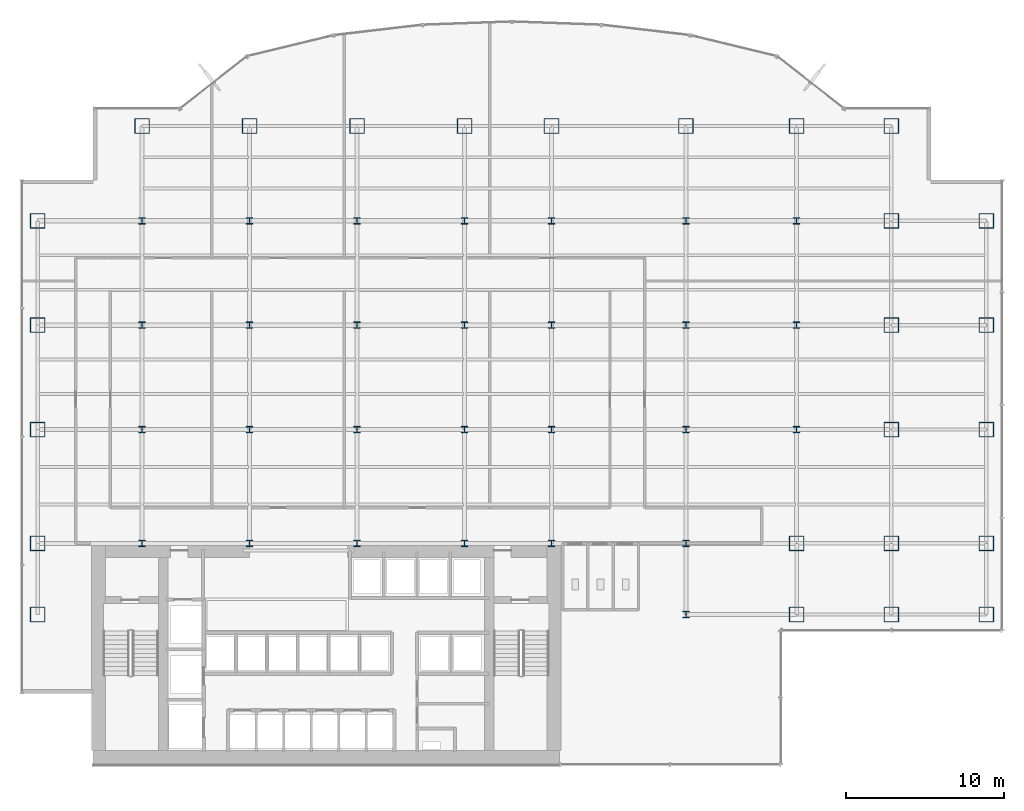
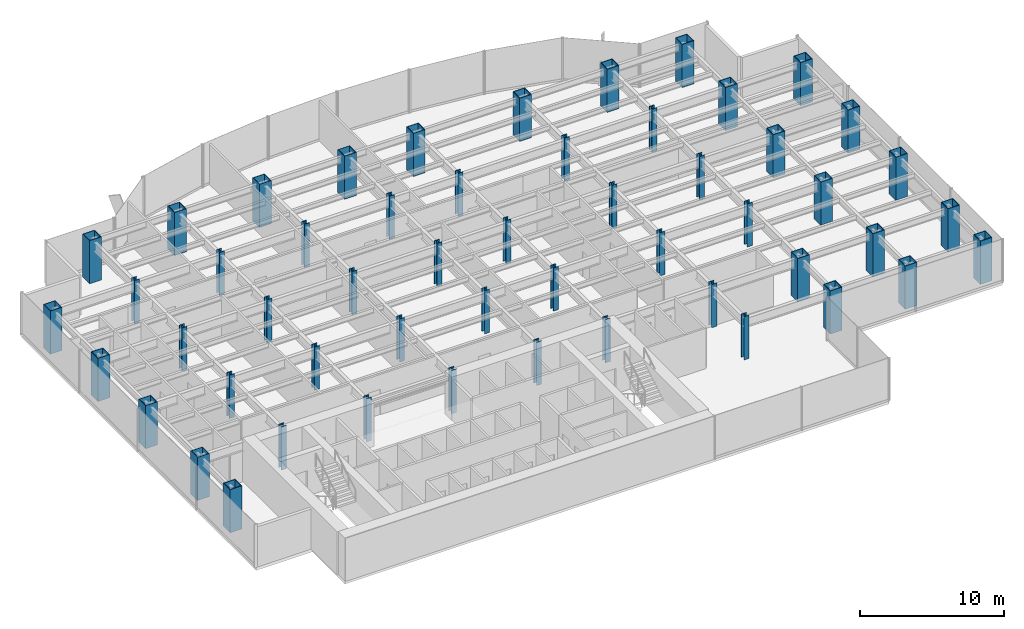
# One storey, part 1 of 23: 53 columns.
"""IFC4 building model written with IfcOpenShell, lengths in metres."""

from ifc_helpers import new_model, si_unit, derived_unit, direction, frame, origin, origin_2d, place, context, subcontext, project, spatial, hollow_rectangle, i_section, extrude, source, transform, mapped, material, material_profile, profile_set, type_object, element, save


model = new_model("IFC4")

# Units and contexts
model_context = context("Model", 3, precision=1e-05, world=origin(), true_north=direction((0.0, 1.0)))
body_context = subcontext(model_context, "Body", "Model", "MODEL_VIEW")
ifc_project = project(units=[si_unit("LENGTHUNIT", "METRE"), si_unit("AREAUNIT", "SQUARE_METRE"), si_unit("VOLUMEUNIT", "CUBIC_METRE"), si_unit("PLANEANGLEUNIT", "RADIAN"), si_unit("MASSUNIT", "GRAM", prefix="KILO"), derived_unit("THERMALTRANSMITTANCEUNIT", [(si_unit("POWERUNIT", "WATT"), 1), (si_unit("LENGTHUNIT", "METRE"), -2), (si_unit("THERMODYNAMICTEMPERATUREUNIT", "KELVIN"), -1)])], contexts=[model_context])

# Site, building, storey
site_placement = place(None, origin())
site = spatial("IfcSite", under=ifc_project, at=site_placement, CompositionType="ELEMENT")
building_placement = place(site_placement, origin())
building = spatial("IfcBuilding", under=site, at=building_placement, Name="Skarnbrae Concourse Arena and Tower", CompositionType="ELEMENT")
storey_placement = place(building_placement, frame((0.0, 0.0, 47.10009765625)))
storey = spatial("IfcBuildingStorey", under=building, at=storey_placement, Name="L10", CompositionType="ELEMENT", Elevation=47.10009765625)

# Columns
ifc_material = material(Name="Steel CSA G40.21 350W", Category="steel")
ifc_material_profile_1 = material_profile(ifc_material, hollow_rectangle(XDim=0.949951171875, YDim=0.949951171875, WallThickness=0.044921875, at=origin_2d()), Name="BOX950X950X45")
ifc_profile_set_1 = profile_set([ifc_material_profile_1], Name="Steel CSA G40.21 350W")
column_type_1 = type_object("IfcColumnType", Name="COL-TUBE-BOX950", PredefinedType="COLUMN", material=ifc_profile_set_1)
shared_shape_1 = source(origin(), body_context, "Body", "SweptSolid", [
    extrude(hollow_rectangle(XDim=0.949951171875, YDim=0.949951171875, WallThickness=0.044921875, at=origin_2d()), origin(), (0.0, 0.0, 1.0), 3.64990234375),
])
for number, where, z_axis, x_axis, name in (
    (1, (1.0, 9.5, 0.0), (0.0, 0.0, 1.0), (1.0, 0.0, 0.0), "L10 Tower column PC_01_01"),
    (2, (1.0, 14.0, 0.0), (0.0, 0.0, 1.0), (1.0, 0.0, 0.0), "L10 Tower column PC_01_02"),
    (3, (1.0, 21.199951171875, 0.0), (0.0, 0.0, 1.0), (1.0, 0.0, 0.0), "L10 Tower column PC_01_03"),
    (4, (1.0, 27.800048828125, 0.0), (0.0, 0.0, 1.0), (1.0, 0.0, 0.0), "L10 Tower column PC_01_04"),
    (5, (1.0, 34.39990234375, 0.0), (0.0, 0.0, 1.0), (1.0, 0.0, 0.0), "L10 Tower column PC_01_05"),
    (6, (7.60009765625, 40.39990234375, 0.0), (0.0, 0.0, 1.0), (1.0, 0.0, 0.0), "L10 Tower column PC_02_06"),
    (7, (14.39990234375, 40.39990234375, 0.0), (0.0, 0.0, 1.0), (1.0, 0.0, 0.0), "L10 Tower column PC_03_06"),
    (8, (21.199951171875, 40.39990234375, 0.0), (0.0, 0.0, 1.0), (1.0, 0.0, 0.0), "L10 Tower column PC_04_06"),
    (9, (28.0, 40.39990234375, 0.0), (0.0, 0.0, 1.0), (1.0, 0.0, 0.0), "L10 Tower column PC_05_06"),
    (10, (33.5, 40.39990234375, 0.0), (0.0, 0.0, 1.0), (1.0, 0.0, 0.0), "L10 Tower column PC_06_06"),
    (11, (42.0, 40.39990234375, 0.0), (0.0, 0.0, 1.0), (1.0, 0.0, 0.0), "L10 Tower column PC_07_06"),
    (12, (49.0, 9.5, 0.0), (0.0, 0.0, 1.0), (1.0, 0.0, 0.0), "L10 Tower column PC_08_01"),
    (13, (49.0, 14.0, 0.0), (0.0, 0.0, 1.0), (1.0, 0.0, 0.0), "L10 Tower column PC_08_02"),
    (14, (49.0, 40.39990234375, 0.0), (0.0, 0.0, 1.0), (1.0, 0.0, 0.0), "L10 Tower column PC_08_06"),
    (15, (55.0, 9.5, 0.0), (0.0, 0.0, 1.0), (1.0, 0.0, 0.0), "L10 Tower column PC_09_01"),
    (16, (55.0, 14.0, 0.0), (0.0, 0.0, 1.0), (1.0, 0.0, 0.0), "L10 Tower column PC_09_02"),
    (17, (55.0, 21.199951171875, 0.0), (0.0, 0.0, 1.0), (1.0, 0.0, 0.0), "L10 Tower column PC_09_03"),
    (18, (55.0, 27.800048828125, 0.0), (0.0, 0.0, 1.0), (1.0, 0.0, 0.0), "L10 Tower column PC_09_04"),
    (19, (55.0, 34.39990234375, 0.0), (0.0, 0.0, 1.0), (1.0, 0.0, 0.0), "L10 Tower column PC_09_05"),
    (20, (55.0, 40.39990234375, 0.0), (0.0, 0.0, 1.0), (1.0, 0.0, 0.0), "L10 Tower column PC_09_06"),
    (21, (61.0, 9.5, 0.0), (0.0, 0.0, 1.0), (1.0, 0.0, 0.0), "L10 Tower column PC_10_01"),
    (22, (61.0, 14.0, 0.0), (0.0, 0.0, 1.0), (1.0, 0.0, 0.0), "L10 Tower column PC_10_02"),
    (23, (61.0, 21.199951171875, 0.0), (0.0, 0.0, 1.0), (1.0, 0.0, 0.0), "L10 Tower column PC_10_03"),
    (24, (61.0, 27.800048828125, 0.0), (0.0, 0.0, 1.0), (1.0, 0.0, 0.0), "L10 Tower column PC_10_04"),
    (25, (61.0, 34.39990234375, 0.0), (0.0, 0.0, 1.0), (1.0, 0.0, 0.0), "L10 Tower column PC_10_05"),
):
    element("IfcColumn", number, at=place(storey_placement, frame(where, z_axis=z_axis, x_axis=x_axis)), inside=storey, type_object=column_type_1, Name=name, PredefinedType="COLUMN", context=body_context, shape_type="MappedRepresentation", body=[
        mapped(shared_shape_1, transform((0.0, 0.0, 0.0))),
    ])
ifc_material_profile_2 = material_profile(ifc_material, i_section(OverallWidth=0.406005859375, OverallDepth=0.416015625, WebThickness=0.02978515625, FlangeThickness=0.048095703125, at=origin_2d()), Name="W360X382")
ifc_profile_set_2 = profile_set([ifc_material_profile_2], Name="Steel CSA G40.21 350W")
column_type_2 = type_object("IfcColumnType", Name="COL-INT-W360X382", PredefinedType="COLUMN", material=ifc_profile_set_2)
shared_shape_2 = source(origin(), body_context, "Body", "SweptSolid", [
    extrude(i_section(OverallWidth=0.406005859375, OverallDepth=0.416015625, WebThickness=0.02978515625, FlangeThickness=0.048095703125, at=origin_2d()), origin(), (0.0, 0.0, 1.0), 3.64990234375),
])
for number, where, z_axis, x_axis, name in (
    (26, (7.60009765625, 14.0, 0.0), (0.0, 0.0, 1.0), (1.0, 0.0, 0.0), "L10 Tower column IC_02_02"),
    (27, (7.60009765625, 21.199951171875, 0.0), (0.0, 0.0, 1.0), (1.0, 0.0, 0.0), "L10 Tower column IC_02_03"),
    (28, (7.60009765625, 27.800048828125, 0.0), (0.0, 0.0, 1.0), (1.0, 0.0, 0.0), "L10 Tower column IC_02_04"),
    (29, (7.60009765625, 34.39990234375, 0.0), (0.0, 0.0, 1.0), (1.0, 0.0, 0.0), "L10 Tower column IC_02_05"),
    (30, (14.39990234375, 14.0, 0.0), (0.0, 0.0, 1.0), (1.0, 0.0, 0.0), "L10 Tower column IC_03_02"),
    (31, (14.39990234375, 21.199951171875, 0.0), (0.0, 0.0, 1.0), (1.0, 0.0, 0.0), "L10 Tower column IC_03_03"),
    (32, (14.39990234375, 27.800048828125, 0.0), (0.0, 0.0, 1.0), (1.0, 0.0, 0.0), "L10 Tower column IC_03_04"),
    (33, (14.39990234375, 34.39990234375, 0.0), (0.0, 0.0, 1.0), (1.0, 0.0, 0.0), "L10 Tower column IC_03_05"),
    (34, (21.199951171875, 14.0, 0.0), (0.0, 0.0, 1.0), (1.0, 0.0, 0.0), "L10 Tower column IC_04_02"),
    (35, (21.199951171875, 21.199951171875, 0.0), (0.0, 0.0, 1.0), (1.0, 0.0, 0.0), "L10 Tower column IC_04_03"),
    (36, (21.199951171875, 27.800048828125, 0.0), (0.0, 0.0, 1.0), (1.0, 0.0, 0.0), "L10 Tower column IC_04_04"),
    (37, (21.199951171875, 34.39990234375, 0.0), (0.0, 0.0, 1.0), (1.0, 0.0, 0.0), "L10 Tower column IC_04_05"),
    (38, (28.0, 14.0, 0.0), (0.0, 0.0, 1.0), (1.0, 0.0, 0.0), "L10 Tower column IC_05_02"),
    (39, (28.0, 21.199951171875, 0.0), (0.0, 0.0, 1.0), (1.0, 0.0, 0.0), "L10 Tower column IC_05_03"),
    (40, (28.0, 27.800048828125, 0.0), (0.0, 0.0, 1.0), (1.0, 0.0, 0.0), "L10 Tower column IC_05_04"),
    (41, (28.0, 34.39990234375, 0.0), (0.0, 0.0, 1.0), (1.0, 0.0, 0.0), "L10 Tower column IC_05_05"),
    (42, (33.5, 14.0, 0.0), (0.0, 0.0, 1.0), (1.0, 0.0, 0.0), "L10 Tower column IC_06_02"),
    (43, (33.5, 21.199951171875, 0.0), (0.0, 0.0, 1.0), (1.0, 0.0, 0.0), "L10 Tower column IC_06_03"),
    (44, (33.5, 27.800048828125, 0.0), (0.0, 0.0, 1.0), (1.0, 0.0, 0.0), "L10 Tower column IC_06_04"),
    (45, (33.5, 34.39990234375, 0.0), (0.0, 0.0, 1.0), (1.0, 0.0, 0.0), "L10 Tower column IC_06_05"),
    (46, (42.0, 9.5, 0.0), (0.0, 0.0, 1.0), (1.0, 0.0, 0.0), "L10 Tower column IC_07_01"),
    (47, (42.0, 14.0, 0.0), (0.0, 0.0, 1.0), (1.0, 0.0, 0.0), "L10 Tower column IC_07_02"),
    (48, (42.0, 21.199951171875, 0.0), (0.0, 0.0, 1.0), (1.0, 0.0, 0.0), "L10 Tower column IC_07_03"),
    (49, (42.0, 27.800048828125, 0.0), (0.0, 0.0, 1.0), (1.0, 0.0, 0.0), "L10 Tower column IC_07_04"),
    (50, (42.0, 34.39990234375, 0.0), (0.0, 0.0, 1.0), (1.0, 0.0, 0.0), "L10 Tower column IC_07_05"),
    (51, (49.0, 21.199951171875, 0.0), (0.0, 0.0, 1.0), (1.0, 0.0, 0.0), "L10 Tower column IC_08_03"),
    (52, (49.0, 27.800048828125, 0.0), (0.0, 0.0, 1.0), (1.0, 0.0, 0.0), "L10 Tower column IC_08_04"),
    (53, (49.0, 34.39990234375, 0.0), (0.0, 0.0, 1.0), (1.0, 0.0, 0.0), "L10 Tower column IC_08_05"),
):
    element("IfcColumn", number, at=place(storey_placement, frame(where, z_axis=z_axis, x_axis=x_axis)), inside=storey, type_object=column_type_2, Name=name, PredefinedType="COLUMN", context=body_context, shape_type="MappedRepresentation", body=[
        mapped(shared_shape_2, transform((0.0, 0.0, 0.0))),
    ])

save(model, "model.ifc")
